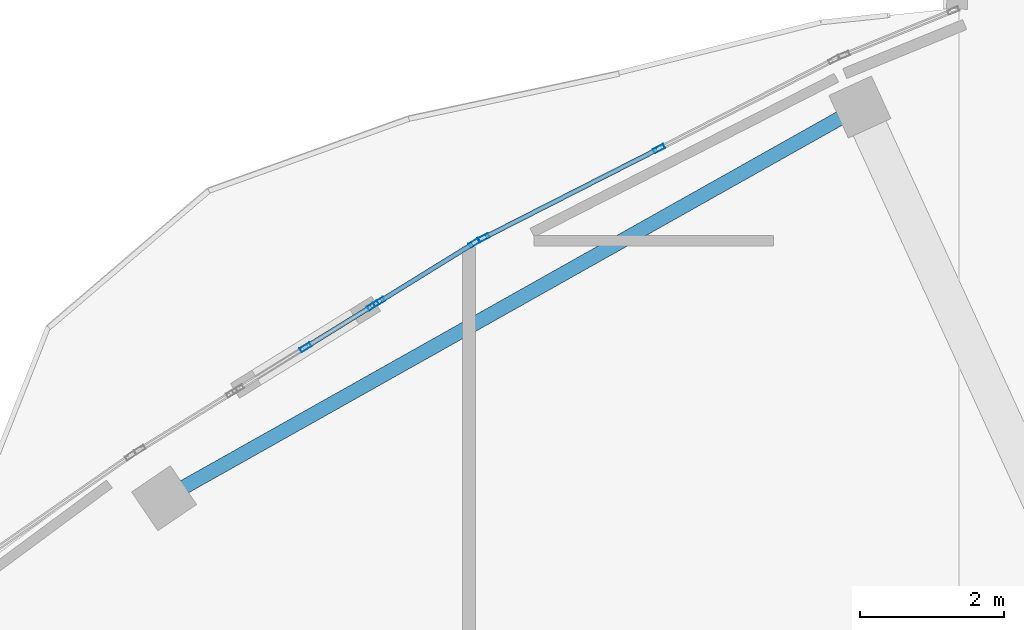
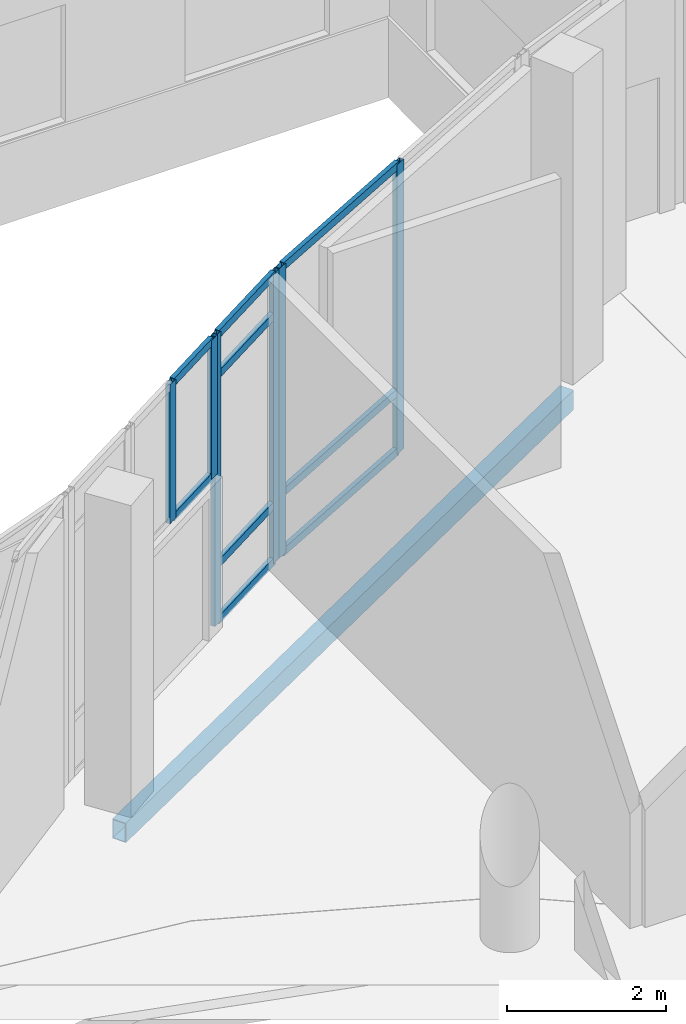
# One storey, part 78 of 155: 15 members, 1 beam, 3 elements without a shape of their own.
"""IFC4 building model written with IfcOpenShell, lengths in metres."""

from ifc_helpers import new_model, si_unit, direction, frame, origin, origin_2d, place, context, subcontext, project, spatial, hollow_rectangle, extrude, material, material_profile, profile_set, type_object, element, aggregate, save


model = new_model("IFC4")

# Units and contexts
model_context = context("Model", 3, precision=1e-05, world=origin(), true_north=direction((0.0, 1.0)))
body_context = subcontext(model_context, "Body", "Model", "MODEL_VIEW")
ifc_project = project(units=[si_unit("LENGTHUNIT", "METRE"), si_unit("AREAUNIT", "SQUARE_METRE"), si_unit("VOLUMEUNIT", "CUBIC_METRE"), si_unit("PLANEANGLEUNIT", "RADIAN"), si_unit("MASSUNIT", "GRAM", prefix="KILO")], contexts=[model_context])

# Site, building, storey
site_placement = place(None, origin())
site = spatial("IfcSite", under=ifc_project, at=site_placement, CompositionType="ELEMENT")
building_placement = place(site_placement, origin())
building = spatial("IfcBuilding", under=site, at=building_placement, Name="Selatvlak General Hospital", CompositionType="ELEMENT")
storey_placement = place(building_placement, frame((0.0, 0.0, 10.199951171875)))
storey = spatial("IfcBuildingStorey", under=building, at=storey_placement, Name="L02", CompositionType="ELEMENT", Elevation=10.199951171875)

# Beam
ifc_material_1 = material(Name="Steel S355", Category="steel")
ifc_material_profile_1 = material_profile(ifc_material_1, hollow_rectangle(XDim=0.199951171875, YDim=0.300048828125, WallThickness=0.011962890625, at=origin_2d()), Name="RHS 300x200x12")
ifc_profile_set_1 = profile_set([ifc_material_profile_1], Name="Steel S355")
beam_type = type_object("IfcBeamType", Name="BM-SP3", PredefinedType="SPANDREL", material=ifc_profile_set_1)
beam_placement = place(storey_placement, frame((102.572998046875, 71.77001953125, -0.5048828125), z_axis=(0.871670941026, 0.490091594063, 0.0), x_axis=(-0.490091594063, 0.871670941026, 0.0)))
element("IfcBeam", 1, at=beam_placement, inside=storey, type_object=beam_type, Name="Beam BMR-L02-1131", PredefinedType="SPANDREL", context=body_context, shape_type="SweptSolid", body=[
    extrude(hollow_rectangle(XDim=0.199951171875, YDim=0.300048828125, WallThickness=0.011962890625, at=origin_2d()), origin(), (0.0, 0.0, 1.0), 11.069580078125),
])

# Curtain wall, members
ifc_material_2 = material(Name="Solar-control Low-E double glazing", Category="glass")
curtain_wall_type_1 = type_object("IfcCurtainWallType", Name="CW-CW-02", PredefinedType="USERDEFINED", material=ifc_material_2)
curtain_wall_1_placement = place(storey_placement, origin())
curtain_wall_1 = element("IfcCurtainWall", 2, at=curtain_wall_1_placement, inside=storey, type_object=curtain_wall_type_1, Name="Glazed facade curtain wall CW-L02-0352", ObjectType="UNITISED CURTAIN WALL", PredefinedType="USERDEFINED")
ifc_material_3 = material(Name="Dark anodised aluminium mullion", Category="aluminium")
ifc_material_profile_2 = material_profile(ifc_material_3, hollow_rectangle(XDim=0.06494140625, YDim=0.159912109375, WallThickness=0.00390625, at=origin_2d()), Name="AL-MUL 65x160x4")
ifc_profile_set_2 = profile_set([ifc_material_profile_2], Name="Dark anodised aluminium mullion")
member_type_1 = type_object("IfcMemberType", Name="CWM-01", PredefinedType="MULLION", material=ifc_profile_set_2)
member_1_placement = place(storey_placement, frame((104.533935546875, 73.863037109375, 2.320068359375), z_axis=(0.0, 0.0, 1.0), x_axis=(-0.526111885649, 0.850415359562, 0.0)))
member_1 = element("IfcMember", 3, at=member_1_placement, type_object=member_type_1, Name="CW-02 mullion 2", PredefinedType="MULLION", context=body_context, shape_type="SweptSolid", body=[
    extrude(hollow_rectangle(XDim=0.06494140625, YDim=0.159912109375, WallThickness=0.00390625, at=origin_2d()), origin(), (0.0, 0.0, 1.0), 2.139892578125),
])
member_2_placement = place(storey_placement, frame((105.471435546875, 74.44287109375, 2.320068359375), z_axis=(0.0, 0.0, 1.0), x_axis=(-0.526111885649, 0.850415359562, 0.0)))
member_2 = element("IfcMember", 4, at=member_2_placement, type_object=member_type_1, Name="CW-02 mullion 3", PredefinedType="MULLION", context=body_context, shape_type="SweptSolid", body=[
    extrude(hollow_rectangle(XDim=0.06494140625, YDim=0.159912109375, WallThickness=0.00390625, at=origin_2d()), origin(), (0.0, 0.0, 1.0), 2.139892578125),
])

curtain_wall_type_2 = type_object("IfcCurtainWallType", Name="CW-CW-01", PredefinedType="USERDEFINED", material=ifc_material_2)
curtain_wall_2_placement = place(storey_placement, origin())
curtain_wall_2 = element("IfcCurtainWall", 5, at=curtain_wall_2_placement, inside=storey, type_object=curtain_wall_type_2, Name="Glazed facade curtain wall CW-L02-0354", ObjectType="UNITISED CURTAIN WALL", PredefinedType="USERDEFINED")
member_3_placement = place(storey_placement, frame((105.552734375, 74.4931640625, 0.0), z_axis=(0.0, 0.0, 1.0), x_axis=(-0.525611082166, 0.850724979241, 0.0)))
member_3 = element("IfcMember", 6, at=member_3_placement, type_object=member_type_1, Name="CW-01 mullion 1", PredefinedType="MULLION", context=body_context, shape_type="SweptSolid", body=[
    extrude(hollow_rectangle(XDim=0.06494140625, YDim=0.159912109375, WallThickness=0.00390625, at=origin_2d()), origin(), (0.0, 0.0, 1.0), 4.4599609375),
])
member_4_placement = place(storey_placement, frame((106.87646484375, 75.31103515625, 0.0), z_axis=(0.0, 0.0, 1.0), x_axis=(-0.525611082166, 0.850724979241, 0.0)))
member_4 = element("IfcMember", 7, at=member_4_placement, type_object=member_type_1, Name="CW-01 mullion 2", PredefinedType="MULLION", context=body_context, shape_type="SweptSolid", body=[
    extrude(hollow_rectangle(XDim=0.06494140625, YDim=0.159912109375, WallThickness=0.00390625, at=origin_2d()), origin(), (0.0, 0.0, 1.0), 4.4599609375),
])

curtain_wall_3_placement = place(storey_placement, origin())
curtain_wall_3 = element("IfcCurtainWall", 8, at=curtain_wall_3_placement, inside=storey, type_object=curtain_wall_type_2, Name="Glazed facade curtain wall CW-L02-0355", ObjectType="UNITISED CURTAIN WALL", PredefinedType="USERDEFINED")
member_5_placement = place(storey_placement, frame((107.00390625, 75.380615234375, 0.0), z_axis=(0.0, 0.0, 1.0), x_axis=(-0.453361318983, 0.891326828077, 0.0)))
member_5 = element("IfcMember", 9, at=member_5_placement, type_object=member_type_1, Name="CW-01 mullion 1", PredefinedType="MULLION", context=body_context, shape_type="SweptSolid", body=[
    extrude(hollow_rectangle(XDim=0.06494140625, YDim=0.159912109375, WallThickness=0.00390625, at=origin_2d()), origin(), (0.0, 0.0, 1.0), 4.4599609375),
])
member_6_placement = place(storey_placement, frame((109.435546875, 76.617431640625, 0.0), z_axis=(0.0, 0.0, 1.0), x_axis=(-0.453361318983, 0.891326828077, 0.0)))
member_6 = element("IfcMember", 10, at=member_6_placement, type_object=member_type_1, Name="CW-01 mullion 2", PredefinedType="MULLION", context=body_context, shape_type="SweptSolid", body=[
    extrude(hollow_rectangle(XDim=0.06494140625, YDim=0.159912109375, WallThickness=0.00390625, at=origin_2d()), origin(), (0.0, 0.0, 1.0), 4.4599609375),
])

# Member
ifc_material_profile_3 = material_profile(ifc_material_3, hollow_rectangle(XDim=0.06494140625, YDim=0.1201171875, WallThickness=0.00390625, at=origin_2d()), Name="AL-TRN 65x120x4")
ifc_profile_set_3 = profile_set([ifc_material_profile_3], Name="Dark anodised aluminium mullion")
member_type_2 = type_object("IfcMemberType", Name="CWT-01", PredefinedType="USERDEFINED", material=ifc_profile_set_3)
member_7_placement = place(storey_placement, frame((104.5615234375, 73.880126953125, 2.3525390625), z_axis=(0.850435657631, 0.526079074123, 0.0), x_axis=(-0.526079074123, 0.850435657631, 0.0)))
member_7 = element("IfcMember", 11, at=member_7_placement, type_object=member_type_2, Name="CW-02 transom 2.1", ObjectType="TRANSOM", PredefinedType="USERDEFINED", context=body_context, shape_type="SweptSolid", body=[
    extrude(hollow_rectangle(XDim=0.06494140625, YDim=0.1201171875, WallThickness=0.00390625, at=origin_2d()), origin(), (0.0, 0.0, 1.0), 1.037109375),
])

member_8_placement = place(storey_placement, frame((104.5615234375, 73.880126953125, 4.427490234375), z_axis=(0.850435657631, 0.526079074123, 0.0), x_axis=(-0.526079074123, 0.850435657631, 0.0)))
member_8 = element("IfcMember", 12, at=member_8_placement, type_object=member_type_2, Name="CW-02 transom 2.2", ObjectType="TRANSOM", PredefinedType="USERDEFINED", context=body_context, shape_type="SweptSolid", body=[
    extrude(hollow_rectangle(XDim=0.06494140625, YDim=0.1201171875, WallThickness=0.00390625, at=origin_2d()), origin(), (0.0, 0.0, 1.0), 1.037109375),
])

aggregate(curtain_wall_1, [member_1, member_2, member_7, member_8])

member_9_placement = place(storey_placement, frame((105.580322265625, 74.51025390625, 0.032470703125), z_axis=(0.850701084111, 0.525649755533, 0.0), x_axis=(-0.525649755533, 0.850701084111, 0.0)))
member_9 = element("IfcMember", 13, at=member_9_placement, type_object=member_type_2, Name="CW-01 transom 1.1", ObjectType="TRANSOM", PredefinedType="USERDEFINED", context=body_context, shape_type="SweptSolid", body=[
    extrude(hollow_rectangle(XDim=0.06494140625, YDim=0.1201171875, WallThickness=0.00390625, at=origin_2d()), origin(), (0.0, 0.0, 1.0), 1.490966796875),
])

member_10_placement = place(storey_placement, frame((105.580322265625, 74.51025390625, 0.900146484375), z_axis=(0.850701084111, 0.525649755533, 0.0), x_axis=(-0.525649755533, 0.850701084111, 0.0)))
member_10 = element("IfcMember", 14, at=member_10_placement, type_object=member_type_2, Name="CW-01 transom 1.2", ObjectType="TRANSOM", PredefinedType="USERDEFINED", context=body_context, shape_type="SweptSolid", body=[
    extrude(hollow_rectangle(XDim=0.06494140625, YDim=0.1201171875, WallThickness=0.00390625, at=origin_2d()), origin(), (0.0, 0.0, 1.0), 1.490966796875),
])

member_11_placement = place(storey_placement, frame((105.580322265625, 74.51025390625, 3.81005859375), z_axis=(0.850701084111, 0.525649755533, 0.0), x_axis=(-0.525649755533, 0.850701084111, 0.0)))
member_11 = element("IfcMember", 15, at=member_11_placement, type_object=member_type_2, Name="CW-01 transom 1.3", ObjectType="TRANSOM", PredefinedType="USERDEFINED", context=body_context, shape_type="SweptSolid", body=[
    extrude(hollow_rectangle(XDim=0.06494140625, YDim=0.1201171875, WallThickness=0.00390625, at=origin_2d()), origin(), (0.0, 0.0, 1.0), 1.490966796875),
])

member_12_placement = place(storey_placement, frame((105.580322265625, 74.51025390625, 4.427490234375), z_axis=(0.850701084111, 0.525649755533, 0.0), x_axis=(-0.525649755533, 0.850701084111, 0.0)))
member_12 = element("IfcMember", 16, at=member_12_placement, type_object=member_type_2, Name="CW-01 transom 1.4", ObjectType="TRANSOM", PredefinedType="USERDEFINED", context=body_context, shape_type="SweptSolid", body=[
    extrude(hollow_rectangle(XDim=0.06494140625, YDim=0.1201171875, WallThickness=0.00390625, at=origin_2d()), origin(), (0.0, 0.0, 1.0), 1.490966796875),
])

aggregate(curtain_wall_2, [member_3, member_4, member_9, member_10, member_11, member_12])

member_13_placement = place(storey_placement, frame((107.032958984375, 75.3955078125, 0.032470703125), z_axis=(0.891325480474, 0.453363968416, 0.0), x_axis=(-0.453363968416, 0.891325480474, 0.0)))
member_13 = element("IfcMember", 17, at=member_13_placement, type_object=member_type_2, Name="CW-01 transom 1.1", ObjectType="TRANSOM", PredefinedType="USERDEFINED", context=body_context, shape_type="SweptSolid", body=[
    extrude(hollow_rectangle(XDim=0.06494140625, YDim=0.1201171875, WallThickness=0.00390625, at=origin_2d()), origin(), (0.0, 0.0, 1.0), 2.662841796875),
])

member_14_placement = place(storey_placement, frame((107.032958984375, 75.3955078125, 0.949951171875), z_axis=(0.891325480474, 0.453363968416, 0.0), x_axis=(-0.453363968416, 0.891325480474, 0.0)))
member_14 = element("IfcMember", 18, at=member_14_placement, type_object=member_type_2, Name="CW-01 transom 1.2", ObjectType="TRANSOM", PredefinedType="USERDEFINED", context=body_context, shape_type="SweptSolid", body=[
    extrude(hollow_rectangle(XDim=0.06494140625, YDim=0.1201171875, WallThickness=0.00390625, at=origin_2d()), origin(), (0.0, 0.0, 1.0), 2.662841796875),
])

member_15_placement = place(storey_placement, frame((107.032958984375, 75.3955078125, 4.427490234375), z_axis=(0.891325480474, 0.453363968416, 0.0), x_axis=(-0.453363968416, 0.891325480474, 0.0)))
member_15 = element("IfcMember", 19, at=member_15_placement, type_object=member_type_2, Name="CW-01 transom 1.3", ObjectType="TRANSOM", PredefinedType="USERDEFINED", context=body_context, shape_type="SweptSolid", body=[
    extrude(hollow_rectangle(XDim=0.06494140625, YDim=0.1201171875, WallThickness=0.00390625, at=origin_2d()), origin(), (0.0, 0.0, 1.0), 2.662841796875),
])

aggregate(curtain_wall_3, [member_5, member_6, member_13, member_14, member_15])

save(model, "model.ifc")
